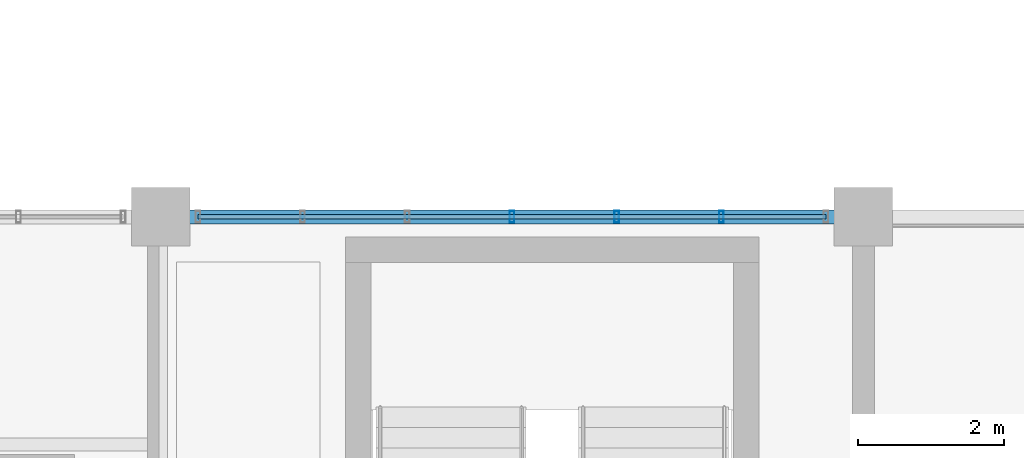
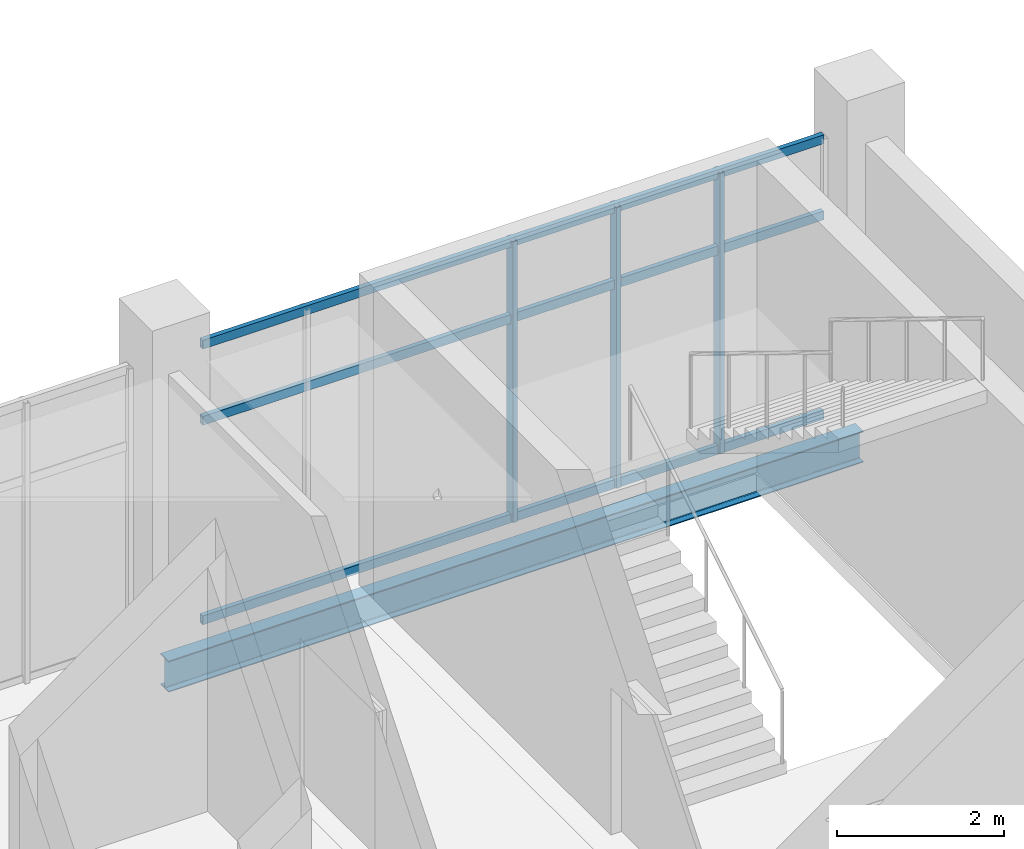
# One storey, part 66 of 157: 6 members, 1 beam, 1 element without a shape of its own.
"""IFC4 building model written with IfcOpenShell, lengths in metres."""

from ifc_helpers import new_model, si_unit, direction, frame, origin, origin_2d, place, context, subcontext, project, spatial, hollow_rectangle, i_section, extrude, material, layer, layer_set, material_profile, profile_set, type_object, element, aggregate, save


model = new_model("IFC4")

# Units and contexts
model_context = context("Model", 3, precision=1e-05, world=origin(), true_north=direction((0.0, 1.0)))
body_context = subcontext(model_context, "Body", "Model", "MODEL_VIEW")
ifc_project = project(units=[si_unit("LENGTHUNIT", "METRE"), si_unit("AREAUNIT", "SQUARE_METRE"), si_unit("VOLUMEUNIT", "CUBIC_METRE"), si_unit("PLANEANGLEUNIT", "RADIAN"), si_unit("MASSUNIT", "GRAM", prefix="KILO")], contexts=[model_context])

# Site, building, storey
site_placement = place(None, origin())
site = spatial("IfcSite", under=ifc_project, at=site_placement, CompositionType="ELEMENT")
building_placement = place(site_placement, origin())
building = spatial("IfcBuilding", under=site, at=building_placement, Name="Chalmorin Arch Market", CompositionType="ELEMENT")
storey_placement = place(building_placement, frame((0.0, 0.0, 4.800048828125)))
storey = spatial("IfcBuildingStorey", under=building, at=storey_placement, Name="L01", CompositionType="ELEMENT", Elevation=4.800048828125)

# Curtain wall, members
ifc_material_1 = material(Name="Aluminium 6063-T6", Category="aluminium")
ifc_layer = layer(ifc_material_1, 0.159912109375)
ifc_layer_set = layer_set([ifc_layer], Name="Aluminium 6063-T6")
curtain_wall_type = type_object("IfcCurtainWallType", Name="MarketClerestoryCurtainWall-CW1-8580x4100", PredefinedType="NOTDEFINED", material=ifc_layer_set)
curtain_wall_placement = place(storey_placement, origin())
curtain_wall = element("IfcCurtainWall", 1, at=curtain_wall_placement, inside=storey, type_object=curtain_wall_type, Name="CW-01-024", PredefinedType="NOTDEFINED")
ifc_material_profile_1 = material_profile(ifc_material_1, hollow_rectangle(XDim=0.06494140625, YDim=0.159912109375, WallThickness=0.00390625, at=origin_2d()), Name="ALU65X160X4")
ifc_profile_set_1 = profile_set([ifc_material_profile_1], Name="Aluminium 6063-T6")
member_type_1 = type_object("IfcMemberType", Name="CurtainWallMullion-65x160", PredefinedType="MULLION", material=ifc_profile_set_1)
member_1_placement = place(storey_placement, frame((120.0, 58.800048828125, 0.0), z_axis=(0.0, 0.0, 1.0), x_axis=(1.0, 0.0, 0.0)))
member_1 = element("IfcMember", 2, at=member_1_placement, type_object=member_type_1, Name="ML-024-04", PredefinedType="MULLION", context=body_context, shape_type="SweptSolid", body=[
    extrude(hollow_rectangle(XDim=0.06494140625, YDim=0.159912109375, WallThickness=0.00390625, at=origin_2d()), origin(), (0.0, 0.0, 1.0), 4.095947265625),
])
member_2_placement = place(storey_placement, frame((121.429931640625, 58.800048828125, 0.0), z_axis=(0.0, 0.0, 1.0), x_axis=(1.0, 0.0, 0.0)))
member_2 = element("IfcMember", 3, at=member_2_placement, type_object=member_type_1, Name="ML-024-05", PredefinedType="MULLION", context=body_context, shape_type="SweptSolid", body=[
    extrude(hollow_rectangle(XDim=0.06494140625, YDim=0.159912109375, WallThickness=0.00390625, at=origin_2d()), origin(), (0.0, 0.0, 1.0), 4.095947265625),
])
member_3_placement = place(storey_placement, frame((122.860107421875, 58.800048828125, 0.0), z_axis=(0.0, 0.0, 1.0), x_axis=(1.0, 0.0, 0.0)))
member_3 = element("IfcMember", 4, at=member_3_placement, type_object=member_type_1, Name="ML-024-06", PredefinedType="MULLION", context=body_context, shape_type="SweptSolid", body=[
    extrude(hollow_rectangle(XDim=0.06494140625, YDim=0.159912109375, WallThickness=0.00390625, at=origin_2d()), origin(), (0.0, 0.0, 1.0), 4.095947265625),
])
ifc_material_profile_2 = material_profile(ifc_material_1, hollow_rectangle(XDim=0.06494140625, YDim=0.1298828125, WallThickness=0.00390625, at=origin_2d()), Name="ALU65X130X4")
ifc_profile_set_2 = profile_set([ifc_material_profile_2], Name="Aluminium 6063-T6")
member_type_2 = type_object("IfcMemberType", Name="CurtainWallTransom-65x130", PredefinedType="USERDEFINED", material=ifc_profile_set_2)
member_4_placement = place(storey_placement, frame((115.7099609375, 58.800048828125, 0.034912109375), z_axis=(1.0, 0.0, 0.0), x_axis=(0.0, 1.0, 0.0)))
member_4 = element("IfcMember", 5, at=member_4_placement, type_object=member_type_2, Name="TR-024-01", ObjectType="TRANSOM", PredefinedType="USERDEFINED", context=body_context, shape_type="SweptSolid", body=[
    extrude(hollow_rectangle(XDim=0.06494140625, YDim=0.1298828125, WallThickness=0.00390625, at=origin_2d()), origin(), (0.0, 0.0, 1.0), 8.580078125),
])
member_5_placement = place(storey_placement, frame((115.7099609375, 58.800048828125, 2.948974609375), z_axis=(1.0, 0.0, 0.0), x_axis=(0.0, 1.0, 0.0)))
member_5 = element("IfcMember", 6, at=member_5_placement, type_object=member_type_2, Name="TR-024-02", ObjectType="TRANSOM", PredefinedType="USERDEFINED", context=body_context, shape_type="SweptSolid", body=[
    extrude(hollow_rectangle(XDim=0.06494140625, YDim=0.1298828125, WallThickness=0.00390625, at=origin_2d()), origin(), (0.0, 0.0, 1.0), 8.580078125),
])
member_6_placement = place(storey_placement, frame((115.7099609375, 58.800048828125, 4.06103515625), z_axis=(1.0, 0.0, 0.0), x_axis=(0.0, 1.0, 0.0)))
member_6 = element("IfcMember", 7, at=member_6_placement, type_object=member_type_2, Name="TR-024-03", ObjectType="TRANSOM", PredefinedType="USERDEFINED", context=body_context, shape_type="SweptSolid", body=[
    extrude(hollow_rectangle(XDim=0.06494140625, YDim=0.1298828125, WallThickness=0.00390625, at=origin_2d()), origin(), (0.0, 0.0, 1.0), 8.580078125),
])
aggregate(curtain_wall, [member_1, member_2, member_3, member_4, member_5, member_6])

# Beam
ifc_material_2 = material(Name="Steel A992 Grade 50", Category="steel")
ifc_material_profile_3 = material_profile(ifc_material_2, i_section(OverallWidth=0.19091796875, OverallDepth=0.45703125, WebThickness=0.009033203125, FlangeThickness=0.014404296875, FilletRadius=0.02001953125, at=origin_2d()), Name="W18X50")
ifc_profile_set_3 = profile_set([ifc_material_profile_3], Name="Steel A992 Grade 50")
beam_type = type_object("IfcBeamType", Name="PerimeterSpandrelBeam-W18X50", PredefinedType="SPANDREL", material=ifc_profile_set_3)
beam_placement = place(storey_placement, frame((115.199951171875, 58.800048828125, -0.570556640625), z_axis=(1.0, 0.0, 0.0), x_axis=(0.0, 1.0, 0.0)))
element("IfcBeam", 8, at=beam_placement, inside=storey, type_object=beam_type, Name="SP-W18-0662", PredefinedType="SPANDREL", context=body_context, shape_type="SweptSolid", body=[
    extrude(i_section(OverallWidth=0.19091796875, OverallDepth=0.45703125, WebThickness=0.009033203125, FlangeThickness=0.014404296875, FilletRadius=0.02001953125, at=origin_2d()), origin(), (0.0, 0.0, 1.0), 9.60009765625),
])

save(model, "model.ifc")
